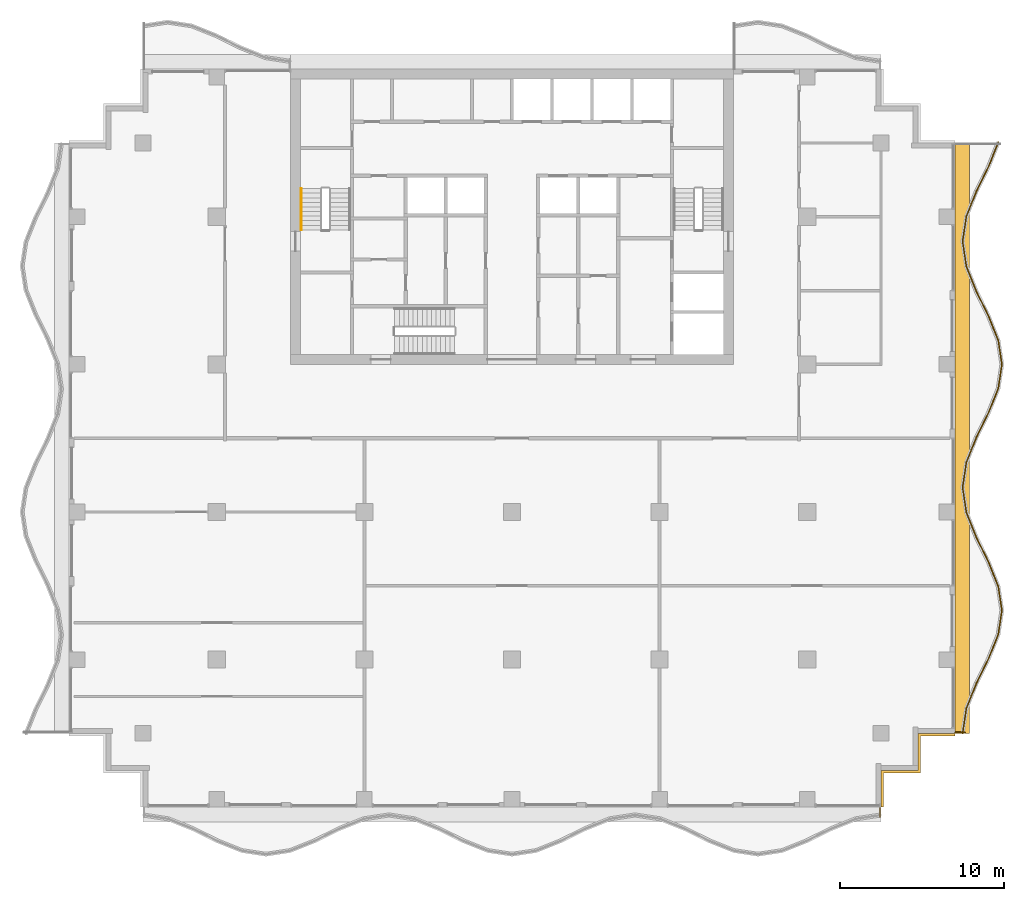
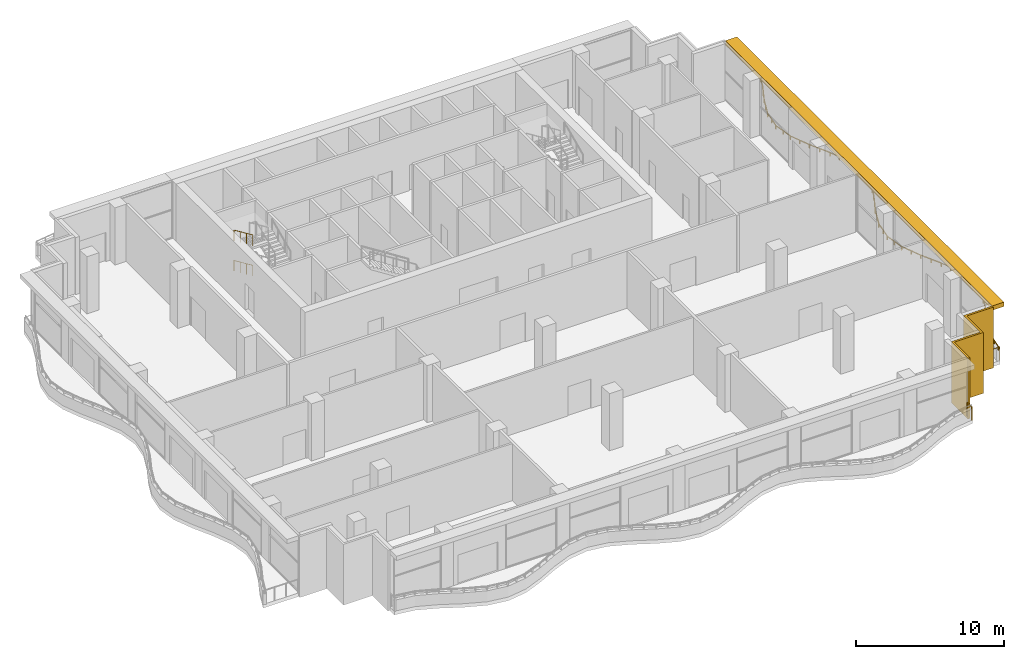
# One storey, part 13 of 15: 5 railings, 2 shading devices.
"""IFC4 building model written with IfcOpenShell, lengths in metres."""

from ifc_helpers import new_model, si_unit, direction, frame, origin, origin_2d, place, context, subcontext, project, spatial, polyline, rectangle, circle, outline, extrude, material, layer, layer_set, type_object, element, save


model = new_model("IFC4")

# Units and contexts
model_context = context("Model", 3, precision=1e-05, world=origin(), true_north=direction((0.0, 1.0)))
body_context = subcontext(model_context, "Body", "Model", "MODEL_VIEW")
ifc_project = project(units=[si_unit("LENGTHUNIT", "METRE"), si_unit("AREAUNIT", "SQUARE_METRE"), si_unit("VOLUMEUNIT", "CUBIC_METRE"), si_unit("PLANEANGLEUNIT", "RADIAN"), si_unit("MASSUNIT", "GRAM", prefix="KILO")], contexts=[model_context])

# Site, building, storey
site_placement = place(None, origin())
site = spatial("IfcSite", under=ifc_project, at=site_placement, CompositionType="ELEMENT")
building_placement = place(site_placement, origin())
building = spatial("IfcBuilding", under=site, at=building_placement, Name="Orbiselva Terraces", CompositionType="ELEMENT")
storey_placement = place(building_placement, frame((0.0, 0.0, 233.8)))
storey = spatial("IfcBuildingStorey", under=building, at=storey_placement, Name="L59", CompositionType="ELEMENT", Elevation=233.8)

# Railings
ifc_material_1 = material(Name="Stainless steel", Category="steel")
railing_type_1 = type_object("IfcRailingType", Name="CORE-HANDRAIL-900", PredefinedType="HANDRAIL", material=ifc_material_1)
for number, where, name in (
    (1, (-12.85, 15.22, 1.375), "L59 S1 stair handrail 2"),
    (2, (-12.85, 15.22, 3.875), "L59 S1 stair handrail 4"),
):
    element("IfcRailing", number, at=place(storey_placement, frame(where)), inside=storey, type_object=railing_type_1, Name=name, PredefinedType="HANDRAIL", context=body_context, shape_type="SweptSolid", body=[
        extrude(circle(Radius=0.024, at=origin_2d()), frame((0.0, 0.0, 0.876), z_axis=(0.0, -0.913137882438, 0.407650840374), x_axis=(1.0, 0.0, 0.0)), (0.0, 0.0, 1.0), 2.759715),
        extrude(circle(Radius=0.021, at=origin_2d()), origin(), (0.0, 0.0, 1.0), 0.852),
        extrude(circle(Radius=0.021, at=origin_2d()), frame((0.0, -0.84, 0.375)), (0.0, 0.0, 1.0), 0.852),
        extrude(circle(Radius=0.021, at=origin_2d()), frame((0.0, -1.68, 0.75)), (0.0, 0.0, 1.0), 0.852),
        extrude(circle(Radius=0.021, at=origin_2d()), frame((0.0, -2.52, 1.125)), (0.0, 0.0, 1.0), 0.852),
    ])
ifc_material_2 = material(Name="Bonded two-ply safety glass balustrade, stainless steel posts", Category="steel")
railing_type_2 = type_object("IfcRailingType", Name="ENV-BALUSTRADE-1200", PredefinedType="BALUSTRADE", material=ifc_material_2)
railing_1_placement = place(storey_placement, frame((27.476434, -17.981121, 0.9)))
element("IfcRailing", 3, at=railing_1_placement, inside=storey, type_object=railing_type_2, Name="Balcony balustrade L59 E", PredefinedType="BALUSTRADE", context=body_context, shape_type="SweptSolid", body=[
    extrude(outline(polyline([(0.028868, 0.0), (0.014434, 0.025), (-0.014434, 0.025), (-0.028868, 0.0), (-0.014434, -0.025), (0.014434, -0.025), (0.028868, 0.0)])), frame((0.0, 0.0, 0.275), z_axis=(0.151033869252, 0.988528588529, 0.0), x_axis=(-0.988528588529, 0.151033869252, 0.0)), (0.0, 0.0, 1.0), 1.531776),
    extrude(outline(polyline([(0.028868, 0.0), (0.014434, 0.025), (-0.014434, 0.025), (-0.028868, 0.0), (-0.014434, -0.025), (0.014434, -0.025), (0.028868, 0.0)])), frame((0.23135, 1.514204, 0.275), z_axis=(0.371390359967, 0.92847681744, 0.0), x_axis=(-0.92847681744, 0.371390359967, 0.0)), (0.0, 0.0, 1.0), 1.634838),
    extrude(outline(polyline([(0.028868, 0.0), (0.014434, 0.025), (-0.014434, 0.025), (-0.028868, 0.0), (-0.014434, -0.025), (0.014434, -0.025), (0.028868, 0.0)])), frame((0.838513, 3.032113, 0.275), z_axis=(0.443212307306, 0.896416672454, 0.0), x_axis=(-0.896416672454, 0.443212307306, 0.0)), (0.0, 0.0, 1.0), 1.673329),
    extrude(outline(polyline([(0.028868, 0.0), (0.014434, 0.025), (-0.014434, 0.025), (-0.028868, 0.0), (-0.014434, -0.025), (0.014434, -0.025), (0.028868, 0.0)])), frame((1.580153, 4.532113, 0.275), z_axis=(0.371391000387, 0.928476561272, 0.0), x_axis=(-0.928476561272, 0.371391000387, 0.0)), (0.0, 0.0, 1.0), 1.596261),
    extrude(outline(polyline([(0.028868, 0.0), (0.014434, 0.025), (-0.014434, 0.025), (-0.028868, 0.0), (-0.014434, -0.025), (0.014434, -0.025), (0.028868, 0.0)])), frame((2.17299, 6.014204, 0.275), z_axis=(0.151033749027, 0.988528606898, 0.0), x_axis=(-0.988528606898, 0.151033749027, 0.0)), (0.0, 0.0, 1.0), 1.48394),
    extrude(outline(polyline([(0.028868, 0.0), (0.014434, 0.025), (-0.014434, 0.025), (-0.028868, 0.0), (-0.014434, -0.025), (0.014434, -0.025), (0.028868, 0.0)])), frame((2.397115, 7.481121, 0.275), z_axis=(-0.151033749027, 0.988528606898, 0.0), x_axis=(-0.988528606898, -0.151033749027, 0.0)), (0.0, 0.0, 1.0), 1.48394),
    extrude(outline(polyline([(0.028868, 0.0), (0.014434, 0.025), (-0.014434, 0.025), (-0.028868, 0.0), (-0.014434, -0.025), (0.014434, -0.025), (0.028868, 0.0)])), frame((2.17299, 8.948038, 0.275), z_axis=(-0.371391000387, 0.928476561272, 0.0), x_axis=(-0.928476561272, -0.371391000387, 0.0)), (0.0, 0.0, 1.0), 1.596261),
    extrude(outline(polyline([(0.028868, 0.0), (0.014434, 0.025), (-0.014434, 0.025), (-0.028868, 0.0), (-0.014434, -0.025), (0.014434, -0.025), (0.028868, 0.0)])), frame((1.580153, 10.430129, 0.275), z_axis=(-0.443212307306, 0.896416672454, 0.0), x_axis=(-0.896416672454, -0.443212307306, 0.0)), (0.0, 0.0, 1.0), 1.673329),
    extrude(outline(polyline([(0.028868, 0.0), (0.014434, 0.025), (-0.014434, 0.025), (-0.028868, 0.0), (-0.014434, -0.025), (0.014434, -0.025), (0.028868, 0.0)])), frame((0.838513, 11.930129, 0.275), z_axis=(-0.371390359967, 0.92847681744, 0.0), x_axis=(-0.92847681744, -0.371390359967, 0.0)), (0.0, 0.0, 1.0), 1.634838),
    extrude(outline(polyline([(0.028868, 0.0), (0.014434, 0.025), (-0.014434, 0.025), (-0.028868, 0.0), (-0.014434, -0.025), (0.014434, -0.025), (0.028868, 0.0)])), frame((0.23135, 13.448038, 0.275), z_axis=(-0.151034211256, 0.988528536275, 0.0), x_axis=(-0.988528536275, -0.151034211256, 0.0)), (0.0, 0.0, 1.0), 1.550874),
    extrude(outline(polyline([(0.028868, 0.0), (0.014434, 0.025), (-0.014434, 0.025), (-0.028868, 0.0), (-0.014434, -0.025), (0.014434, -0.025), (0.028868, 0.0)])), frame((-0.002885, 14.981121, 0.275), z_axis=(0.151034211256, 0.988528536275, 0.0), x_axis=(-0.988528536275, 0.151034211256, 0.0)), (0.0, 0.0, 1.0), 1.550874),
    extrude(outline(polyline([(0.028868, 0.0), (0.014434, 0.025), (-0.014434, 0.025), (-0.028868, 0.0), (-0.014434, -0.025), (0.014434, -0.025), (0.028868, 0.0)])), frame((0.23135, 16.514204, 0.275), z_axis=(0.371390359967, 0.92847681744, 0.0), x_axis=(-0.92847681744, 0.371390359967, 0.0)), (0.0, 0.0, 1.0), 1.634838),
    extrude(outline(polyline([(0.028868, 0.0), (0.014434, 0.025), (-0.014434, 0.025), (-0.028868, 0.0), (-0.014434, -0.025), (0.014434, -0.025), (0.028868, 0.0)])), frame((0.838513, 18.032113, 0.275), z_axis=(0.443212307306, 0.896416672454, 0.0), x_axis=(-0.896416672454, 0.443212307306, 0.0)), (0.0, 0.0, 1.0), 1.673329),
    extrude(outline(polyline([(0.028868, 0.0), (0.014434, 0.025), (-0.014434, 0.025), (-0.028868, 0.0), (-0.014434, -0.025), (0.014434, -0.025), (0.028868, 0.0)])), frame((1.580153, 19.532113, 0.275), z_axis=(0.371391000387, 0.928476561272, 0.0), x_axis=(-0.928476561272, 0.371391000387, 0.0)), (0.0, 0.0, 1.0), 1.596261),
    extrude(outline(polyline([(0.028868, 0.0), (0.014434, 0.025), (-0.014434, 0.025), (-0.028868, 0.0), (-0.014434, -0.025), (0.014434, -0.025), (0.028868, 0.0)])), frame((2.17299, 21.014204, 0.275), z_axis=(0.151033749027, 0.988528606898, 0.0), x_axis=(-0.988528606898, 0.151033749027, 0.0)), (0.0, 0.0, 1.0), 1.48394),
    extrude(outline(polyline([(0.028868, 0.0), (0.014434, 0.025), (-0.014434, 0.025), (-0.028868, 0.0), (-0.014434, -0.025), (0.014434, -0.025), (0.028868, 0.0)])), frame((2.397115, 22.481121, 0.275), z_axis=(-0.151033749027, 0.988528606898, 0.0), x_axis=(-0.988528606898, -0.151033749027, 0.0)), (0.0, 0.0, 1.0), 1.48394),
    extrude(outline(polyline([(0.028868, 0.0), (0.014434, 0.025), (-0.014434, 0.025), (-0.028868, 0.0), (-0.014434, -0.025), (0.014434, -0.025), (0.028868, 0.0)])), frame((2.17299, 23.948038, 0.275), z_axis=(-0.371391000387, 0.928476561272, 0.0), x_axis=(-0.928476561272, -0.371391000387, 0.0)), (0.0, 0.0, 1.0), 1.596261),
    extrude(outline(polyline([(0.028868, 0.0), (0.014434, 0.025), (-0.014434, 0.025), (-0.028868, 0.0), (-0.014434, -0.025), (0.014434, -0.025), (0.028868, 0.0)])), frame((1.580153, 25.430129, 0.275), z_axis=(-0.443212307306, 0.896416672454, 0.0), x_axis=(-0.896416672454, -0.443212307306, 0.0)), (0.0, 0.0, 1.0), 1.673329),
    extrude(outline(polyline([(0.028868, 0.0), (0.014434, 0.025), (-0.014434, 0.025), (-0.028868, 0.0), (-0.014434, -0.025), (0.014434, -0.025), (0.028868, 0.0)])), frame((0.838513, 26.930129, 0.275), z_axis=(-0.371390359967, 0.92847681744, 0.0), x_axis=(-0.92847681744, -0.371390359967, 0.0)), (0.0, 0.0, 1.0), 1.634838),
    extrude(outline(polyline([(0.028868, 0.0), (0.014434, 0.025), (-0.014434, 0.025), (-0.028868, 0.0), (-0.014434, -0.025), (0.014434, -0.025), (0.028868, 0.0)])), frame((0.23135, 28.448038, 0.275), z_axis=(-0.151034211256, 0.988528536275, 0.0), x_axis=(-0.988528536275, -0.151034211256, 0.0)), (0.0, 0.0, 1.0), 1.550874),
    extrude(outline(polyline([(0.028868, 0.0), (0.014434, 0.025), (-0.014434, 0.025), (-0.028868, 0.0), (-0.014434, -0.025), (0.014434, -0.025), (0.028868, 0.0)])), frame((-0.002885, 29.981121, 0.275), z_axis=(0.151034211256, 0.988528536275, 0.0), x_axis=(-0.988528536275, 0.151034211256, 0.0)), (0.0, 0.0, 1.0), 1.550874),
    extrude(outline(polyline([(0.028868, 0.0), (0.014434, 0.025), (-0.014434, 0.025), (-0.028868, 0.0), (-0.014434, -0.025), (0.014434, -0.025), (0.028868, 0.0)])), frame((0.23135, 31.514204, 0.275), z_axis=(0.371390359967, 0.92847681744, 0.0), x_axis=(-0.92847681744, 0.371390359967, 0.0)), (0.0, 0.0, 1.0), 1.634838),
    extrude(outline(polyline([(0.028868, 0.0), (0.014434, 0.025), (-0.014434, 0.025), (-0.028868, 0.0), (-0.014434, -0.025), (0.014434, -0.025), (0.028868, 0.0)])), frame((0.838513, 33.032113, 0.275), z_axis=(0.443212307306, 0.896416672454, 0.0), x_axis=(-0.896416672454, 0.443212307306, 0.0)), (0.0, 0.0, 1.0), 1.673329),
    extrude(outline(polyline([(0.028868, 0.0), (0.014434, 0.025), (-0.014434, 0.025), (-0.028868, 0.0), (-0.014434, -0.025), (0.014434, -0.025), (0.028868, 0.0)])), frame((1.580153, 34.532113, 0.275), z_axis=(0.371390783402, 0.928476648066, 0.0), x_axis=(-0.928476648066, 0.371390783402, 0.0)), (0.0, 0.0, 1.0), 1.61063),
    extrude(rectangle(XDim=0.05, YDim=0.05, at=origin_2d()), origin(), (0.0, 0.0, 1.0), 0.25),
    extrude(rectangle(XDim=0.05, YDim=0.05, at=origin_2d()), frame((0.115675, 0.757102, 0.0)), (0.0, 0.0, 1.0), 0.25),
    extrude(rectangle(XDim=0.05, YDim=0.05, at=origin_2d()), frame((0.23135, 1.514204, 0.0)), (0.0, 0.0, 1.0), 0.25),
    extrude(rectangle(XDim=0.05, YDim=0.05, at=origin_2d()), frame((0.534931, 2.273159, 0.0)), (0.0, 0.0, 1.0), 0.25),
    extrude(rectangle(XDim=0.05, YDim=0.05, at=origin_2d()), frame((0.838513, 3.032113, 0.0)), (0.0, 0.0, 1.0), 0.25),
    extrude(rectangle(XDim=0.05, YDim=0.05, at=origin_2d()), frame((1.209333, 3.782113, 0.0)), (0.0, 0.0, 1.0), 0.25),
    extrude(rectangle(XDim=0.05, YDim=0.05, at=origin_2d()), frame((1.580153, 4.532113, 0.0)), (0.0, 0.0, 1.0), 0.25),
    extrude(rectangle(XDim=0.05, YDim=0.05, at=origin_2d()), frame((1.876571, 5.273159, 0.0)), (0.0, 0.0, 1.0), 0.25),
    extrude(rectangle(XDim=0.05, YDim=0.05, at=origin_2d()), frame((2.17299, 6.014204, 0.0)), (0.0, 0.0, 1.0), 0.25),
    extrude(rectangle(XDim=0.05, YDim=0.05, at=origin_2d()), frame((2.285052, 6.747663, 0.0)), (0.0, 0.0, 1.0), 0.25),
    extrude(rectangle(XDim=0.05, YDim=0.05, at=origin_2d()), frame((2.397115, 7.481121, 0.0)), (0.0, 0.0, 1.0), 0.25),
    extrude(rectangle(XDim=0.05, YDim=0.05, at=origin_2d()), frame((2.285052, 8.21458, 0.0)), (0.0, 0.0, 1.0), 0.25),
    extrude(rectangle(XDim=0.05, YDim=0.05, at=origin_2d()), frame((2.17299, 8.948038, 0.0)), (0.0, 0.0, 1.0), 0.25),
    extrude(rectangle(XDim=0.05, YDim=0.05, at=origin_2d()), frame((1.876571, 9.689084, 0.0)), (0.0, 0.0, 1.0), 0.25),
    extrude(rectangle(XDim=0.05, YDim=0.05, at=origin_2d()), frame((1.580153, 10.430129, 0.0)), (0.0, 0.0, 1.0), 0.25),
    extrude(rectangle(XDim=0.05, YDim=0.05, at=origin_2d()), frame((1.209333, 11.180129, 0.0)), (0.0, 0.0, 1.0), 0.25),
    extrude(rectangle(XDim=0.05, YDim=0.05, at=origin_2d()), frame((0.838513, 11.930129, 0.0)), (0.0, 0.0, 1.0), 0.25),
    extrude(rectangle(XDim=0.05, YDim=0.05, at=origin_2d()), frame((0.534931, 12.689084, 0.0)), (0.0, 0.0, 1.0), 0.25),
    extrude(rectangle(XDim=0.05, YDim=0.05, at=origin_2d()), frame((0.23135, 13.448038, 0.0)), (0.0, 0.0, 1.0), 0.25),
    extrude(rectangle(XDim=0.05, YDim=0.05, at=origin_2d()), frame((0.114232, 14.21458, 0.0)), (0.0, 0.0, 1.0), 0.25),
    extrude(rectangle(XDim=0.05, YDim=0.05, at=origin_2d()), frame((-0.002885, 14.981121, 0.0)), (0.0, 0.0, 1.0), 0.25),
    extrude(rectangle(XDim=0.05, YDim=0.05, at=origin_2d()), frame((0.114232, 15.747663, 0.0)), (0.0, 0.0, 1.0), 0.25),
    extrude(rectangle(XDim=0.05, YDim=0.05, at=origin_2d()), frame((0.23135, 16.514204, 0.0)), (0.0, 0.0, 1.0), 0.25),
    extrude(rectangle(XDim=0.05, YDim=0.05, at=origin_2d()), frame((0.534931, 17.273158, 0.0)), (0.0, 0.0, 1.0), 0.25),
    extrude(rectangle(XDim=0.05, YDim=0.05, at=origin_2d()), frame((0.838513, 18.032113, 0.0)), (0.0, 0.0, 1.0), 0.25),
    extrude(rectangle(XDim=0.05, YDim=0.05, at=origin_2d()), frame((1.209333, 18.782113, 0.0)), (0.0, 0.0, 1.0), 0.25),
    extrude(rectangle(XDim=0.05, YDim=0.05, at=origin_2d()), frame((1.580153, 19.532113, 0.0)), (0.0, 0.0, 1.0), 0.25),
    extrude(rectangle(XDim=0.05, YDim=0.05, at=origin_2d()), frame((1.876571, 20.273158, 0.0)), (0.0, 0.0, 1.0), 0.25),
    extrude(rectangle(XDim=0.05, YDim=0.05, at=origin_2d()), frame((2.17299, 21.014204, 0.0)), (0.0, 0.0, 1.0), 0.25),
    extrude(rectangle(XDim=0.05, YDim=0.05, at=origin_2d()), frame((2.285052, 21.747663, 0.0)), (0.0, 0.0, 1.0), 0.25),
    extrude(rectangle(XDim=0.05, YDim=0.05, at=origin_2d()), frame((2.397115, 22.481121, 0.0)), (0.0, 0.0, 1.0), 0.25),
    extrude(rectangle(XDim=0.05, YDim=0.05, at=origin_2d()), frame((2.285052, 23.21458, 0.0)), (0.0, 0.0, 1.0), 0.25),
    extrude(rectangle(XDim=0.05, YDim=0.05, at=origin_2d()), frame((2.17299, 23.948038, 0.0)), (0.0, 0.0, 1.0), 0.25),
    extrude(rectangle(XDim=0.05, YDim=0.05, at=origin_2d()), frame((1.876571, 24.689084, 0.0)), (0.0, 0.0, 1.0), 0.25),
    extrude(rectangle(XDim=0.05, YDim=0.05, at=origin_2d()), frame((1.580153, 25.430129, 0.0)), (0.0, 0.0, 1.0), 0.25),
    extrude(rectangle(XDim=0.05, YDim=0.05, at=origin_2d()), frame((1.209333, 26.180129, 0.0)), (0.0, 0.0, 1.0), 0.25),
    extrude(rectangle(XDim=0.05, YDim=0.05, at=origin_2d()), frame((0.838513, 26.930129, 0.0)), (0.0, 0.0, 1.0), 0.25),
    extrude(rectangle(XDim=0.05, YDim=0.05, at=origin_2d()), frame((0.534931, 27.689084, 0.0)), (0.0, 0.0, 1.0), 0.25),
    extrude(rectangle(XDim=0.05, YDim=0.05, at=origin_2d()), frame((0.23135, 28.448038, 0.0)), (0.0, 0.0, 1.0), 0.25),
    extrude(rectangle(XDim=0.05, YDim=0.05, at=origin_2d()), frame((0.114232, 29.21458, 0.0)), (0.0, 0.0, 1.0), 0.25),
    extrude(rectangle(XDim=0.05, YDim=0.05, at=origin_2d()), frame((-0.002885, 29.981121, 0.0)), (0.0, 0.0, 1.0), 0.25),
    extrude(rectangle(XDim=0.05, YDim=0.05, at=origin_2d()), frame((0.114232, 30.747662, 0.0)), (0.0, 0.0, 1.0), 0.25),
    extrude(rectangle(XDim=0.05, YDim=0.05, at=origin_2d()), frame((0.23135, 31.514204, 0.0)), (0.0, 0.0, 1.0), 0.25),
    extrude(rectangle(XDim=0.05, YDim=0.05, at=origin_2d()), frame((0.534931, 32.273158, 0.0)), (0.0, 0.0, 1.0), 0.25),
    extrude(rectangle(XDim=0.05, YDim=0.05, at=origin_2d()), frame((0.838513, 33.032113, 0.0)), (0.0, 0.0, 1.0), 0.25),
    extrude(rectangle(XDim=0.05, YDim=0.05, at=origin_2d()), frame((1.209333, 33.782113, 0.0)), (0.0, 0.0, 1.0), 0.25),
    extrude(rectangle(XDim=0.05, YDim=0.05, at=origin_2d()), frame((1.580153, 34.532113, 0.0)), (0.0, 0.0, 1.0), 0.25),
    extrude(rectangle(XDim=0.05, YDim=0.05, at=origin_2d()), frame((1.879239, 35.279829, 0.0)), (0.0, 0.0, 1.0), 0.25),
    extrude(rectangle(XDim=0.05, YDim=0.05, at=origin_2d()), frame((2.178326, 36.027545, 0.0)), (0.0, 0.0, 1.0), 0.25),
])
ifc_material_3 = material(Name="Stainless steel rail and posts", Category="steel")
railing_type_3 = type_object("IfcRailingType", Name="ENV-GUARD-1105", PredefinedType="BALUSTRADE", material=ifc_material_3)
railing_2_placement = place(storey_placement, frame((22.44, -23.100379, 0.0)))
element("IfcRailing", 4, at=railing_2_placement, inside=storey, type_object=railing_type_3, Name="Balcony end guard L59 S", PredefinedType="BALUSTRADE", context=body_context, shape_type="SweptSolid", body=[
    extrude(outline(polyline([(0.028868, 0.0), (0.014434, 0.025), (-0.014434, 0.025), (-0.028868, 0.0), (-0.014434, -0.025), (0.014434, -0.025), (0.028868, 0.0)])), frame((0.0, 0.0, 1.08), z_axis=(0.0, 1.0, 0.0), x_axis=(-1.0, 0.0, 0.0)), (0.0, 0.0, 1.0), 0.575379),
    extrude(rectangle(XDim=0.05, YDim=0.05, at=origin_2d()), origin(), (0.0, 0.0, 1.0), 1.055),
    extrude(rectangle(XDim=0.05, YDim=0.05, at=origin_2d()), frame((0.0, 0.575379, 0.0)), (0.0, 0.0, 1.0), 1.055),
])
railing_3_placement = place(storey_placement, frame((27.600379, -17.94, 0.0)))
element("IfcRailing", 5, at=railing_3_placement, inside=storey, type_object=railing_type_3, Name="Balcony end guard L59 E", PredefinedType="BALUSTRADE", context=body_context, shape_type="SweptSolid", body=[
    extrude(outline(polyline([(0.028868, 0.0), (0.014434, 0.025), (-0.014434, 0.025), (-0.028868, 0.0), (-0.014434, -0.025), (0.014434, -0.025), (0.028868, 0.0)])), frame((0.0, 0.0, 1.08), z_axis=(-1.0, 0.0, 0.0), x_axis=(0.0, -1.0, 0.0)), (0.0, 0.0, 1.0), 0.575379),
    extrude(rectangle(XDim=0.05, YDim=0.05, at=origin_2d()), origin(), (0.0, 0.0, 1.0), 1.055),
    extrude(rectangle(XDim=0.05, YDim=0.05, at=origin_2d()), frame((-0.575379, 0.0, 0.0)), (0.0, 0.0, 1.0), 1.055),
])

# Shading devices
ifc_material_4 = material(Name="Terracotta louvre screen", Category="masonry")
ifc_layer_1 = layer(ifc_material_4, 0.15)
ifc_layer_set_1 = layer_set([ifc_layer_1], Name="Terracotta louvre screen")
shading_device_type_1 = type_object("IfcShadingDeviceType", Name="ENV-SCREEN-150", PredefinedType="USERDEFINED", material=ifc_layer_set_1)
shading_device_1_placement = place(storey_placement, frame((0.0, 0.0, -0.3)))
element("IfcShadingDevice", 6, at=shading_device_1_placement, inside=storey, type_object=shading_device_type_1, Name="Louvre screen L59 SE", ObjectType="SCREEN", PredefinedType="USERDEFINED", context=body_context, shape_type="SweptSolid", body=[
    extrude(outline(polyline([(22.65, -22.5), (22.65, -20.4), (24.9, -20.4), (24.9, -18.15), (27.0, -18.15), (27.0, -18.0), (24.75, -18.0), (24.75, -20.25), (22.5, -20.25), (22.5, -22.5), (22.65, -22.5)])), origin(), (0.0, 0.0, 1.0), 5.0),
])
ifc_material_5 = material(Name="Terracotta baguette sunshade", Category="masonry")
ifc_layer_2 = layer(ifc_material_5, 0.35)
ifc_layer_set_2 = layer_set([ifc_layer_2], Name="Terracotta baguette sunshade")
shading_device_type_2 = type_object("IfcShadingDeviceType", Name="ENV-SUNSHADE-900x350", PredefinedType="USERDEFINED", material=ifc_layer_set_2)
shading_device_2_placement = place(storey_placement, frame((0.0, 0.0, 4.35)))
element("IfcShadingDevice", 7, at=shading_device_2_placement, inside=storey, type_object=shading_device_type_2, Name="Sunshade band L59 E", ObjectType="SUNSHADE", PredefinedType="USERDEFINED", context=body_context, shape_type="SweptSolid", body=[
    extrude(outline(polyline([(27.9, -18.0), (27.9, 18.0), (27.0, 18.0), (27.0, -18.0), (27.9, -18.0)])), origin(), (0.0, 0.0, 1.0), 0.35),
])

save(model, "model.ifc")
